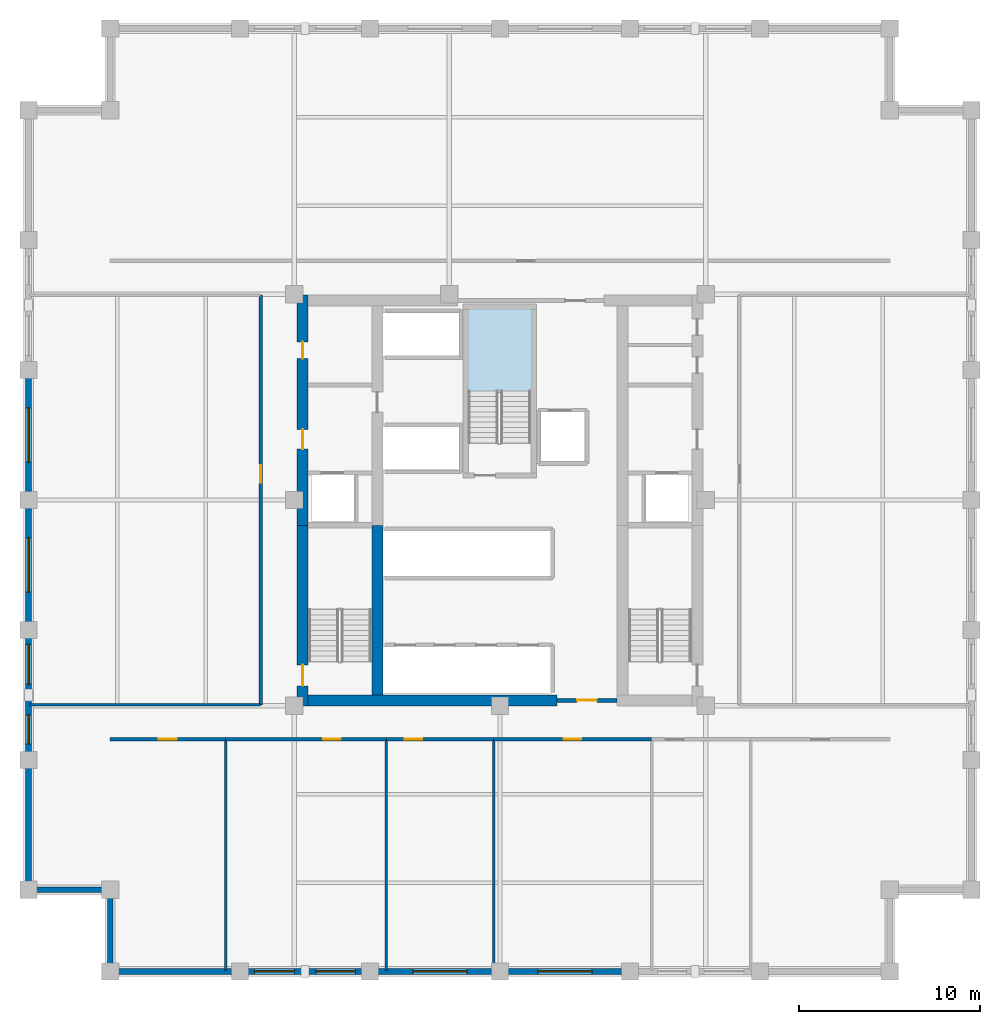
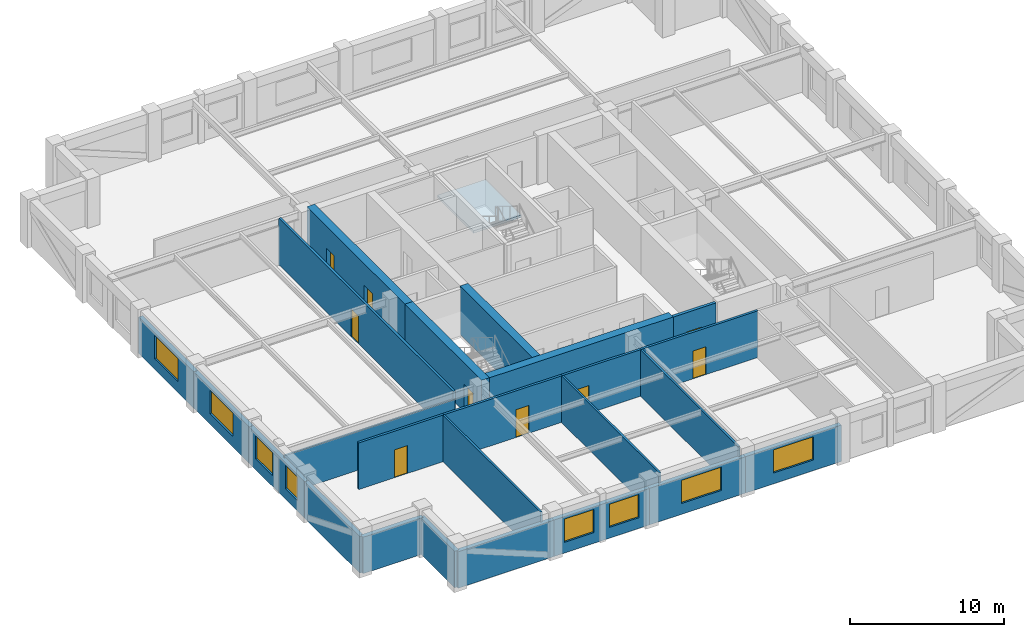
# One storey, part 2 of 6: 24 walls, 9 doors, 8 windows, 1 slab, 17 openings, 1 element without a shape of its own.
"""IFC4 building model written with IfcOpenShell, lengths in metres."""

from ifc_helpers import new_model, si_unit, direction, frame, frame_2d, origin, place, context, subcontext, project, spatial, polyline, rectangle, outline, extrude, material, layer, layer_set, type_object, element, fill, aggregate, save


model = new_model("IFC4")

# Units and contexts
model_context = context("Model", 3, precision=1e-05, world=origin(), true_north=direction((0.0, 1.0)))
body_context = subcontext(model_context, "Body", "Model", "MODEL_VIEW")
ifc_project = project(units=[si_unit("LENGTHUNIT", "METRE"), si_unit("AREAUNIT", "SQUARE_METRE"), si_unit("VOLUMEUNIT", "CUBIC_METRE"), si_unit("PLANEANGLEUNIT", "RADIAN"), si_unit("MASSUNIT", "GRAM", prefix="KILO")], contexts=[model_context])

# Site, building, storey
site_placement = place(None, origin())
site = spatial("IfcSite", under=ifc_project, at=site_placement, CompositionType="ELEMENT")
building_placement = place(site_placement, origin())
building = spatial("IfcBuilding", under=site, at=building_placement, Name="Nhamokura Convention Tower", CompositionType="ELEMENT")
storey_placement = place(building_placement, frame((0.0, 0.0, 160.64990234375)))
storey = spatial("IfcBuildingStorey", under=building, at=storey_placement, Name="L39", CompositionType="ELEMENT", Elevation=160.64990234375)

# Stair, slab
ifc_material_1 = material(Name="Concrete C40/50", Category="concrete")
stair_type = type_object("IfcStairType", Name="TowerCoreStair_1650", PredefinedType="HALF_TURN_STAIR", material=ifc_material_1)
stair_placement = place(storey_placement, origin())
stair = element("IfcStair", 1, at=stair_placement, inside=storey, type_object=stair_type, Name="L39 North Core Smokeproof Stair ST-03", PredefinedType="HALF_TURN_STAIR")
ifc_material_2 = material(Name="Concrete C40/50", Category="concrete")
ifc_layer_1 = layer(ifc_material_2, 0.199951171875)
ifc_layer_set_1 = layer_set([ifc_layer_1], Name="StairLandingSlab_200")
slab_type = type_object("IfcSlabType", Name="StairLandingSlab_200", PredefinedType="LANDING", material=ifc_layer_set_1)
slab_placement = place(storey_placement, frame((0.0, 0.0, 1.72509765625)))
slab = element("IfcSlab", 2, at=slab_placement, type_object=slab_type, Name="ST-03 landing 1", PredefinedType="LANDING", context=body_context, shape_type="SweptSolid", body=[
    extrude(outline(polyline([(33.780029296875, 37.919921875), (33.780029296875, 42.580078125), (30.169921875, 42.580078125), (30.169921875, 37.919921875), (33.780029296875, 37.919921875)])), origin(), (0.0, 0.0, 1.0), 0.199951171875),
])
aggregate(stair, [slab])

# Wall
ifc_material_3 = material(Name="Bronze-pigmented precast concrete C45/55", Category="concrete")
ifc_layer_2 = layer(ifc_material_3, 0.320068359375)
ifc_layer_set_2 = layer_set([ifc_layer_2], Name="BronzePrecastSpandrel_320")
wall_type_1 = type_object("IfcWallType", Name="BronzePrecastSpandrel_320", PredefinedType="USERDEFINED", material=ifc_layer_set_2)
wall_1_placement = place(storey_placement, frame((17.666748046875, 6.0, 0.0), z_axis=(0.0, 0.0, 1.0), x_axis=(-1.0, 0.0, 0.0)))
element("IfcWall", 3, at=wall_1_placement, inside=storey, type_object=wall_type_1, Name="L39 Braced-Bay Precast Wall SOUTH 0", ObjectType="SPANDREL_WALL", PredefinedType="USERDEFINED", context=body_context, shape_type="SweptSolid", body=[
    extrude(rectangle(XDim=7.166748046875, YDim=0.320068359375, at=frame_2d((3.58349609375, 0.0))), origin(), (0.0, 0.0, 1.0), 2.885009765625),
])

# Wall, openings, windows
wall_2_placement = place(storey_placement, frame((24.833251953125, 6.0, 0.0), z_axis=(0.0, 0.0, 1.0), x_axis=(-1.0, 0.0, 0.0)))
wall_2 = element("IfcWall", 4, at=wall_2_placement, inside=storey, type_object=wall_type_1, Name="L39 Masonry-Frame Wall SOUTH 1", ObjectType="SPANDREL_WALL", PredefinedType="USERDEFINED", context=body_context, shape_type="SweptSolid", body=[
    extrude(rectangle(XDim=7.16650390625, YDim=0.320068359375, at=frame_2d((3.583251953125, 0.0))), origin(), (0.0, 0.0, 1.0), 2.885009765625),
])
opening_1_placement = place(wall_2_placement, frame((0.791748046875, 0.0, 0.85009765625)))
opening_1 = element("IfcOpeningElement", 5, at=opening_1_placement, cuts=wall_2, Name="Opening W-06", PredefinedType="OPENING", context=body_context, shape_type="SweptSolid", body=[
    extrude(rectangle(XDim=2.199951171875, YDim=1.8349609375, at=frame_2d((1.10009765625, 0.91748046875))), frame((0.0, 0.169921875, 0.0), z_axis=(0.0, -1.0, 0.0), x_axis=(1.0, 0.0, 0.0)), (0.0, 0.0, 1.0), 0.340087890625),
])
opening_2_placement = place(wall_2_placement, frame((4.175048828125, 0.0, 0.85009765625)))
opening_2 = element("IfcOpeningElement", 6, at=opening_2_placement, cuts=wall_2, Name="Opening W-06", PredefinedType="OPENING", context=body_context, shape_type="SweptSolid", body=[
    extrude(rectangle(XDim=2.199951171875, YDim=1.8349609375, at=frame_2d((1.10009765625, 0.91748046875))), frame((0.0, 0.169921875, 0.0), z_axis=(0.0, -1.0, 0.0), x_axis=(1.0, 0.0, 0.0)), (0.0, 0.0, 1.0), 0.340087890625),
])
ifc_material_4 = material(Name="Solar-control bronze low-E double glass", Category="glass")
window_type_1 = type_object("IfcWindowType", Name="OfficeModuleWindow_Z2_2200", PartitioningType="SINGLE_PANEL", PredefinedType="WINDOW", material=ifc_material_4)
window_1_placement = place(opening_1_placement, origin())
window_1 = element("IfcWindow", 7, at=window_1_placement, inside=storey, type_object=window_type_1, Name="L39 Facade Window SOUTH 1-1", OverallHeight=1.8349609375, OverallWidth=2.199951171875, PartitioningType="SINGLE_PANEL", PredefinedType="WINDOW", context=body_context, shape_type="SweptSolid", body=[
    extrude(rectangle(XDim=2.199951171875, YDim=1.8349609375, at=frame_2d((1.10009765625, 0.91748046875))), frame((0.0, 0.030029296875, 0.0), z_axis=(0.0, -1.0, 0.0), x_axis=(1.0, 0.0, 0.0)), (0.0, 0.0, 1.0), 0.06005859375),
])
fill(opening_1, window_1)
window_2_placement = place(opening_2_placement, origin())
window_2 = element("IfcWindow", 8, at=window_2_placement, inside=storey, type_object=window_type_1, Name="L39 Facade Window SOUTH 1-2", OverallHeight=1.8349609375, OverallWidth=2.199951171875, PartitioningType="SINGLE_PANEL", PredefinedType="WINDOW", context=body_context, shape_type="SweptSolid", body=[
    extrude(rectangle(XDim=2.199951171875, YDim=1.8349609375, at=frame_2d((1.10009765625, 0.91748046875))), frame((0.0, 0.030029296875, 0.0), z_axis=(0.0, -1.0, 0.0), x_axis=(1.0, 0.0, 0.0)), (0.0, 0.0, 1.0), 0.06005859375),
])
fill(opening_2, window_2)

# Wall, opening, window
wall_3_placement = place(storey_placement, frame((32.0, 6.0, 0.0), z_axis=(0.0, 0.0, 1.0), x_axis=(-1.0, 0.0, 0.0)))
wall_3 = element("IfcWall", 9, at=wall_3_placement, inside=storey, type_object=wall_type_1, Name="L39 Masonry-Frame Wall SOUTH 2", ObjectType="SPANDREL_WALL", PredefinedType="USERDEFINED", context=body_context, shape_type="SweptSolid", body=[
    extrude(rectangle(XDim=7.166748046875, YDim=0.320068359375, at=frame_2d((3.58349609375, 0.0))), origin(), (0.0, 0.0, 1.0), 2.885009765625),
])
opening_3_placement = place(wall_3_placement, frame((1.808349609375, 0.0, 0.85009765625)))
opening_3 = element("IfcOpeningElement", 10, at=opening_3_placement, cuts=wall_3, Name="Opening W-05", PredefinedType="OPENING", context=body_context, shape_type="SweptSolid", body=[
    extrude(rectangle(XDim=3.0, YDim=1.8349609375, at=frame_2d((1.5, 0.91748046875))), frame((0.0, 0.169921875, 0.0), z_axis=(0.0, -1.0, 0.0), x_axis=(1.0, 0.0, 0.0)), (0.0, 0.0, 1.0), 0.340087890625),
])
ifc_material_5 = material(Name="Solar-control bronze low-E double glass", Category="glass")
window_type_2 = type_object("IfcWindowType", Name="OfficeModuleWindow_Z2_3000", PartitioningType="DOUBLE_PANEL_VERTICAL", PredefinedType="WINDOW", material=ifc_material_5)
window_3_placement = place(opening_3_placement, origin())
window_3 = element("IfcWindow", 11, at=window_3_placement, inside=storey, type_object=window_type_2, Name="L39 Facade Window SOUTH 2", OverallHeight=1.8349609375, OverallWidth=3.0, PartitioningType="SINGLE_PANEL", PredefinedType="WINDOW", context=body_context, shape_type="SweptSolid", body=[
    extrude(rectangle(XDim=3.0, YDim=1.8349609375, at=frame_2d((1.5, 0.91748046875))), frame((0.0, 0.030029296875, 0.0), z_axis=(0.0, -1.0, 0.0), x_axis=(1.0, 0.0, 0.0)), (0.0, 0.0, 1.0), 0.06005859375),
])
fill(opening_3, window_3)

wall_4_placement = place(storey_placement, frame((39.166748046875, 6.0, 0.0), z_axis=(0.0, 0.0, 1.0), x_axis=(-1.0, 0.0, 0.0)))
wall_4 = element("IfcWall", 12, at=wall_4_placement, inside=storey, type_object=wall_type_1, Name="L39 Masonry-Frame Wall SOUTH 3", ObjectType="SPANDREL_WALL", PredefinedType="USERDEFINED", context=body_context, shape_type="SweptSolid", body=[
    extrude(rectangle(XDim=7.166748046875, YDim=0.320068359375, at=frame_2d((3.58349609375, 0.0))), origin(), (0.0, 0.0, 1.0), 2.885009765625),
])
opening_4_placement = place(wall_4_placement, frame((2.083251953125, 0.0, 0.85009765625)))
opening_4 = element("IfcOpeningElement", 13, at=opening_4_placement, cuts=wall_4, Name="Opening W-05", PredefinedType="OPENING", context=body_context, shape_type="SweptSolid", body=[
    extrude(rectangle(XDim=3.0, YDim=1.8349609375, at=frame_2d((1.5, 0.91748046875))), frame((0.0, 0.169921875, 0.0), z_axis=(0.0, -1.0, 0.0), x_axis=(1.0, 0.0, 0.0)), (0.0, 0.0, 1.0), 0.340087890625),
])
window_4_placement = place(opening_4_placement, origin())
window_4 = element("IfcWindow", 14, at=window_4_placement, inside=storey, type_object=window_type_2, Name="L39 Facade Window SOUTH 3", OverallHeight=1.8349609375, OverallWidth=3.0, PartitioningType="SINGLE_PANEL", PredefinedType="WINDOW", context=body_context, shape_type="SweptSolid", body=[
    extrude(rectangle(XDim=3.0, YDim=1.8349609375, at=frame_2d((1.5, 0.91748046875))), frame((0.0, 0.030029296875, 0.0), z_axis=(0.0, -1.0, 0.0), x_axis=(1.0, 0.0, 0.0)), (0.0, 0.0, 1.0), 0.06005859375),
])
fill(opening_4, window_4)

# Wall
wall_5_placement = place(storey_placement, frame((6.0, 10.5, 0.0), z_axis=(0.0, 0.0, 1.0), x_axis=(0.0, 1.0, 0.0)))
element("IfcWall", 15, at=wall_5_placement, inside=storey, type_object=wall_type_1, Name="L39 Braced-Bay Precast Wall WEST 0", ObjectType="SPANDREL_WALL", PredefinedType="USERDEFINED", context=body_context, shape_type="SweptSolid", body=[
    extrude(rectangle(XDim=7.166748046875, YDim=0.320068359375, at=frame_2d((3.58349609375, 0.0))), origin(), (0.0, 0.0, 1.0), 2.885009765625),
])

# Wall, openings, windows
wall_6_placement = place(storey_placement, frame((6.0, 17.666748046875, 0.0), z_axis=(0.0, 0.0, 1.0), x_axis=(0.0, 1.0, 0.0)))
wall_6 = element("IfcWall", 16, at=wall_6_placement, inside=storey, type_object=wall_type_1, Name="L39 Masonry-Frame Wall WEST 1", ObjectType="SPANDREL_WALL", PredefinedType="USERDEFINED", context=body_context, shape_type="SweptSolid", body=[
    extrude(rectangle(XDim=7.16650390625, YDim=0.320068359375, at=frame_2d((3.583251953125, 0.0))), origin(), (0.0, 0.0, 1.0), 2.885009765625),
])
opening_5_placement = place(wall_6_placement, frame((0.879150390625, 0.0, 0.85009765625)))
opening_5 = element("IfcOpeningElement", 17, at=opening_5_placement, cuts=wall_6, Name="Opening W-11", PredefinedType="OPENING", context=body_context, shape_type="SweptSolid", body=[
    extrude(rectangle(XDim=1.60009765625, YDim=1.8349609375, at=frame_2d((0.800048828125, 0.91748046875))), frame((0.0, 0.169921875, 0.0), z_axis=(0.0, -1.0, 0.0), x_axis=(1.0, 0.0, 0.0)), (0.0, 0.0, 1.0), 0.340087890625),
])
opening_6_placement = place(wall_6_placement, frame((4.175048828125, 0.0, 0.85009765625)))
opening_6 = element("IfcOpeningElement", 18, at=opening_6_placement, cuts=wall_6, Name="Opening W-06", PredefinedType="OPENING", context=body_context, shape_type="SweptSolid", body=[
    extrude(rectangle(XDim=2.199951171875, YDim=1.8349609375, at=frame_2d((1.10009765625, 0.91748046875))), frame((0.0, 0.169921875, 0.0), z_axis=(0.0, -1.0, 0.0), x_axis=(1.0, 0.0, 0.0)), (0.0, 0.0, 1.0), 0.340087890625),
])
ifc_material_6 = material(Name="Solar-control bronze low-E double glass", Category="glass")
window_type_3 = type_object("IfcWindowType", Name="NotchCornerWindow_1600", PartitioningType="SINGLE_PANEL", PredefinedType="WINDOW", material=ifc_material_6)
window_5_placement = place(opening_5_placement, origin())
window_5 = element("IfcWindow", 19, at=window_5_placement, inside=storey, type_object=window_type_3, Name="L39 Facade Window WEST 1-1", OverallHeight=1.8349609375, OverallWidth=1.60009765625, PartitioningType="SINGLE_PANEL", PredefinedType="WINDOW", context=body_context, shape_type="SweptSolid", body=[
    extrude(rectangle(XDim=1.60009765625, YDim=1.8349609375, at=frame_2d((0.800048828125, 0.91748046875))), frame((0.0, 0.030029296875, 0.0), z_axis=(0.0, -1.0, 0.0), x_axis=(1.0, 0.0, 0.0)), (0.0, 0.0, 1.0), 0.06005859375),
])
fill(opening_5, window_5)
window_6_placement = place(opening_6_placement, origin())
window_6 = element("IfcWindow", 20, at=window_6_placement, inside=storey, type_object=window_type_1, Name="L39 Facade Window WEST 1-2", OverallHeight=1.8349609375, OverallWidth=2.199951171875, PartitioningType="SINGLE_PANEL", PredefinedType="WINDOW", context=body_context, shape_type="SweptSolid", body=[
    extrude(rectangle(XDim=2.199951171875, YDim=1.8349609375, at=frame_2d((1.10009765625, 0.91748046875))), frame((0.0, 0.030029296875, 0.0), z_axis=(0.0, -1.0, 0.0), x_axis=(1.0, 0.0, 0.0)), (0.0, 0.0, 1.0), 0.06005859375),
])
fill(opening_6, window_6)

# Wall, opening, window
wall_7_placement = place(storey_placement, frame((6.0, 24.833251953125, 0.0), z_axis=(0.0, 0.0, 1.0), x_axis=(0.0, 1.0, 0.0)))
wall_7 = element("IfcWall", 21, at=wall_7_placement, inside=storey, type_object=wall_type_1, Name="L39 Masonry-Frame Wall WEST 2", ObjectType="SPANDREL_WALL", PredefinedType="USERDEFINED", context=body_context, shape_type="SweptSolid", body=[
    extrude(rectangle(XDim=7.166748046875, YDim=0.320068359375, at=frame_2d((3.58349609375, 0.0))), origin(), (0.0, 0.0, 1.0), 2.885009765625),
])
opening_7_placement = place(wall_7_placement, frame((2.083251953125, 0.0, 0.85009765625)))
opening_7 = element("IfcOpeningElement", 22, at=opening_7_placement, cuts=wall_7, Name="Opening W-05", PredefinedType="OPENING", context=body_context, shape_type="SweptSolid", body=[
    extrude(rectangle(XDim=3.0, YDim=1.8349609375, at=frame_2d((1.5, 0.91748046875))), frame((0.0, 0.169921875, 0.0), z_axis=(0.0, -1.0, 0.0), x_axis=(1.0, 0.0, 0.0)), (0.0, 0.0, 1.0), 0.340087890625),
])
window_7_placement = place(opening_7_placement, origin())
window_7 = element("IfcWindow", 23, at=window_7_placement, inside=storey, type_object=window_type_2, Name="L39 Facade Window WEST 2", OverallHeight=1.8349609375, OverallWidth=3.0, PartitioningType="SINGLE_PANEL", PredefinedType="WINDOW", context=body_context, shape_type="SweptSolid", body=[
    extrude(rectangle(XDim=3.0, YDim=1.8349609375, at=frame_2d((1.5, 0.91748046875))), frame((0.0, 0.030029296875, 0.0), z_axis=(0.0, -1.0, 0.0), x_axis=(1.0, 0.0, 0.0)), (0.0, 0.0, 1.0), 0.06005859375),
])
fill(opening_7, window_7)

wall_8_placement = place(storey_placement, frame((6.0, 32.0, 0.0), z_axis=(0.0, 0.0, 1.0), x_axis=(0.0, 1.0, 0.0)))
wall_8 = element("IfcWall", 24, at=wall_8_placement, inside=storey, type_object=wall_type_1, Name="L39 Masonry-Frame Wall WEST 3", ObjectType="SPANDREL_WALL", PredefinedType="USERDEFINED", context=body_context, shape_type="SweptSolid", body=[
    extrude(rectangle(XDim=7.166748046875, YDim=0.320068359375, at=frame_2d((3.58349609375, 0.0))), origin(), (0.0, 0.0, 1.0), 2.885009765625),
])
opening_8_placement = place(wall_8_placement, frame((2.083251953125, 0.0, 0.85009765625)))
opening_8 = element("IfcOpeningElement", 25, at=opening_8_placement, cuts=wall_8, Name="Opening W-05", PredefinedType="OPENING", context=body_context, shape_type="SweptSolid", body=[
    extrude(rectangle(XDim=3.0, YDim=1.8349609375, at=frame_2d((1.5, 0.91748046875))), frame((0.0, 0.169921875, 0.0), z_axis=(0.0, -1.0, 0.0), x_axis=(1.0, 0.0, 0.0)), (0.0, 0.0, 1.0), 0.340087890625),
])
window_8_placement = place(opening_8_placement, origin())
window_8 = element("IfcWindow", 26, at=window_8_placement, inside=storey, type_object=window_type_2, Name="L39 Facade Window WEST 3", OverallHeight=1.8349609375, OverallWidth=3.0, PartitioningType="SINGLE_PANEL", PredefinedType="WINDOW", context=body_context, shape_type="SweptSolid", body=[
    extrude(rectangle(XDim=3.0, YDim=1.8349609375, at=frame_2d((1.5, 0.91748046875))), frame((0.0, 0.030029296875, 0.0), z_axis=(0.0, -1.0, 0.0), x_axis=(1.0, 0.0, 0.0)), (0.0, 0.0, 1.0), 0.06005859375),
])
fill(opening_8, window_8)

# Walls
for number, where, z_axis, x_axis, name in (
    (27, (10.5, 6.0, 0.0), (0.0, 0.0, 1.0), (0.0, 1.0, 0.0), "L39 Notched Corner Wall SW1"),
    (28, (10.5, 10.5, 0.0), (0.0, 0.0, 1.0), (-1.0, 0.0, 0.0), "L39 Notched Corner Wall SW2"),
):
    element("IfcWall", number, at=place(storey_placement, frame(where, z_axis=z_axis, x_axis=x_axis)), inside=storey, type_object=wall_type_1, Name=name, ObjectType="SPANDREL_WALL", PredefinedType="USERDEFINED", context=body_context, shape_type="SweptSolid", body=[
        extrude(rectangle(XDim=4.5, YDim=0.320068359375, at=frame_2d((2.25, 0.0))), origin(), (0.0, 0.0, 1.0), 2.885009765625),
    ])

# Wall, opening, door
ifc_material_7 = material(Name="Concrete C60/75", Category="concrete")
ifc_layer_3 = layer(ifc_material_7, 0.60009765625)
ifc_layer_set_3 = layer_set([ifc_layer_3], Name="CoreShearWall_600")
wall_type_2 = type_object("IfcWallType", Name="CoreShearWall_600", PredefinedType="SHEAR", material=ifc_layer_set_3)
wall_9_placement = place(storey_placement, frame((21.110107421875, 20.64990234375, 0.0), z_axis=(0.0, 0.0, 1.0), x_axis=(0.0, 1.0, 0.0)))
wall_9 = element("IfcWall", 29, at=wall_9_placement, inside=storey, type_object=wall_type_2, Name="L39 Core Shear Wall CW-WS", PredefinedType="SHEAR", context=body_context, shape_type="SweptSolid", body=[
    extrude(rectangle(XDim=9.9501953125, YDim=0.60009765625, at=frame_2d((4.97509765625, 0.0))), origin(), (0.0, 0.0, 1.0), 3.85009765625),
])
opening_9_placement = place(wall_9_placement, frame((1.10009765625, 0.0, 0.0)))
opening_9 = element("IfcOpeningElement", 30, at=opening_9_placement, cuts=wall_9, Name="Opening D-04", PredefinedType="OPENING", context=body_context, shape_type="SweptSolid", body=[
    extrude(rectangle(XDim=1.14990234375, YDim=2.14990234375, at=frame_2d((0.574951171875, 1.074951171875))), frame((0.0, 0.31005859375, 0.0), z_axis=(0.0, -1.0, 0.0), x_axis=(1.0, 0.0, 0.0)), (0.0, 0.0, 1.0), 0.6201171875),
])
ifc_material_8 = material(Name="Fire-rated steel door", Category="steel")
door_type_1 = type_object("IfcDoorType", Name="StairSmokeDoor_1150", OperationType="NOTDEFINED", PredefinedType="DOOR", material=ifc_material_8)
door_1_placement = place(opening_9_placement, origin())
door_1 = element("IfcDoor", 31, at=door_1_placement, inside=storey, type_object=door_type_1, Name="L39 Core Door INT-L39-D-ST01", OperationType="SINGLE_SWING_LEFT", OverallHeight=2.14990234375, OverallWidth=1.14990234375, PredefinedType="DOOR", context=body_context, shape_type="SweptSolid", body=[
    extrude(rectangle(XDim=1.14990234375, YDim=2.14990234375, at=frame_2d((0.574951171875, 1.074951171875))), frame((0.0, 0.02490234375, 0.0), z_axis=(0.0, -1.0, 0.0), x_axis=(1.0, 0.0, 0.0)), (0.0, 0.0, 1.0), 0.050048828125),
])
fill(opening_9, door_1)

# Wall, openings, doors
wall_10_placement = place(storey_placement, frame((21.110107421875, 30.60009765625, 0.0), z_axis=(0.0, 0.0, 1.0), x_axis=(0.0, 1.0, 0.0)))
wall_10 = element("IfcWall", 32, at=wall_10_placement, inside=storey, type_object=wall_type_2, Name="L39 Core Shear Wall CW-WN", PredefinedType="SHEAR", context=body_context, shape_type="SweptSolid", body=[
    extrude(rectangle(XDim=12.699951171875, YDim=0.60009765625, at=frame_2d((6.35009765625, 0.0))), origin(), (0.0, 0.0, 1.0), 3.85009765625),
])
opening_10_placement = place(wall_10_placement, frame((4.199951171875, 0.0, 0.0)))
opening_10 = element("IfcOpeningElement", 33, at=opening_10_placement, cuts=wall_10, Name="Opening D-05", PredefinedType="OPENING", context=body_context, shape_type="SweptSolid", body=[
    extrude(rectangle(XDim=1.10009765625, YDim=2.14990234375, at=frame_2d((0.550048828125, 1.074951171875))), frame((0.0, 0.31005859375, 0.0), z_axis=(0.0, -1.0, 0.0), x_axis=(1.0, 0.0, 0.0)), (0.0, 0.0, 1.0), 0.6201171875),
])
opening_11_placement = place(wall_10_placement, frame((9.199951171875, 0.0, 0.0)))
opening_11 = element("IfcOpeningElement", 34, at=opening_11_placement, cuts=wall_10, Name="Opening D-10", PredefinedType="OPENING", context=body_context, shape_type="SweptSolid", body=[
    extrude(rectangle(XDim=0.919921875, YDim=2.10009765625, at=frame_2d((0.4599609375, 1.050048828125))), frame((0.0, 0.31005859375, 0.0), z_axis=(0.0, -1.0, 0.0), x_axis=(1.0, 0.0, 0.0)), (0.0, 0.0, 1.0), 0.6201171875),
])
ifc_material_9 = material(Name="Solid oak hardwood", Category="wood")
door_type_2 = type_object("IfcDoorType", Name="AccessibleWCDoor_920", OperationType="NOTDEFINED", PredefinedType="DOOR", material=ifc_material_9)
door_2_placement = place(opening_11_placement, origin())
door_2 = element("IfcDoor", 35, at=door_2_placement, inside=storey, type_object=door_type_2, Name="L39 Core Door INT-L39-D-AWC", OperationType="SINGLE_SWING_LEFT", OverallHeight=2.10009765625, OverallWidth=0.919921875, PredefinedType="DOOR", context=body_context, shape_type="SweptSolid", body=[
    extrude(rectangle(XDim=0.919921875, YDim=2.10009765625, at=frame_2d((0.4599609375, 1.050048828125))), frame((0.0, 0.02490234375, 0.0), z_axis=(0.0, -1.0, 0.0), x_axis=(1.0, 0.0, 0.0)), (0.0, 0.0, 1.0), 0.050048828125),
])
fill(opening_11, door_2)
ifc_material_10 = material(Name="Fire-rated steel door", Category="steel")
door_type_3 = type_object("IfcDoorType", Name="FireLobbyDoor_1100", OperationType="NOTDEFINED", PredefinedType="DOOR", material=ifc_material_10)
door_3_placement = place(opening_10_placement, origin())
door_3 = element("IfcDoor", 36, at=door_3_placement, inside=storey, type_object=door_type_3, Name="L39 Core Door INT-L39-D-FFLW", OperationType="SINGLE_SWING_RIGHT", OverallHeight=2.14990234375, OverallWidth=1.10009765625, PredefinedType="DOOR", context=body_context, shape_type="SweptSolid", body=[
    extrude(rectangle(XDim=1.10009765625, YDim=2.14990234375, at=frame_2d((0.550048828125, 1.074951171875))), frame((0.0, 0.02490234375, 0.0), z_axis=(0.0, -1.0, 0.0), x_axis=(1.0, 0.0, 0.0)), (0.0, 0.0, 1.0), 0.050048828125),
])
fill(opening_10, door_3)

# Walls
wall_11_placement = place(storey_placement, frame((21.409912109375, 20.949951171875, 0.0), z_axis=(0.0, 0.0, 1.0), x_axis=(1.0, 0.0, 0.0)))
element("IfcWall", 37, at=wall_11_placement, inside=storey, type_object=wall_type_2, Name="L39 Core Shear Wall CW-S1", PredefinedType="SHEAR", context=body_context, shape_type="SweptSolid", body=[
    extrude(rectangle(XDim=13.739990234375, YDim=0.60009765625, at=frame_2d((6.8701171875, 0.0))), origin(), (0.0, 0.0, 1.0), 3.85009765625),
])
wall_12_placement = place(storey_placement, frame((25.239990234375, 21.25, 0.0), z_axis=(0.0, 0.0, 1.0), x_axis=(0.0, 1.0, 0.0)))
element("IfcWall", 38, at=wall_12_placement, inside=storey, type_object=wall_type_2, Name="L39 Core Shear Wall CW-IWS", PredefinedType="SHEAR", context=body_context, shape_type="SweptSolid", body=[
    extrude(rectangle(XDim=9.35009765625, YDim=0.60009765625, at=frame_2d((4.675048828125, 0.0))), origin(), (0.0, 0.0, 1.0), 3.85009765625),
])

# Wall, opening, door
ifc_material_11 = material(Name="Fire-rated gypsum and masonry partition", Category="masonry")
ifc_layer_4 = layer(ifc_material_11, 0.179931640625)
ifc_layer_set_4 = layer_set([ifc_layer_4], Name="CorridorRatedWall_180")
wall_type_3 = type_object("IfcWallType", Name="CorridorRatedWall_180", PredefinedType="STANDARD", material=ifc_layer_set_4)
wall_13_placement = place(storey_placement, frame((10.5, 18.800048828125, 0.0), z_axis=(0.0, 0.0, 1.0), x_axis=(1.0, 0.0, 0.0)))
wall_13 = element("IfcWall", 39, at=wall_13_placement, inside=storey, type_object=wall_type_3, Name="L39 Wall INT-L39-CW-S00", PredefinedType="STANDARD", context=body_context, shape_type="SweptSolid", body=[
    extrude(rectangle(XDim=6.36669921875, YDim=0.179931640625, at=frame_2d((3.183349609375, 0.0))), origin(), (0.0, 0.0, 1.0), 3.68505859375),
])
opening_12_placement = place(wall_13_placement, frame((2.683349609375, 0.0, 0.0)))
opening_12 = element("IfcOpeningElement", 40, at=opening_12_placement, cuts=wall_13, Name="Opening D-08", PredefinedType="OPENING", context=body_context, shape_type="SweptSolid", body=[
    extrude(rectangle(XDim=0.97998046875, YDim=2.199951171875, at=frame_2d((0.489990234375, 1.10009765625))), frame((0.0, 0.099853515625, 0.0), z_axis=(0.0, -1.0, 0.0), x_axis=(1.0, 0.0, 0.0)), (0.0, 0.0, 1.0), 0.199951171875),
])
ifc_material_12 = material(Name="Solid oak hardwood", Category="wood")
door_type_4 = type_object("IfcDoorType", Name="OfficeEntryDoor_980", OperationType="NOTDEFINED", PredefinedType="DOOR", material=ifc_material_12)
door_4_placement = place(opening_12_placement, origin())
door_4 = element("IfcDoor", 41, at=door_4_placement, inside=storey, type_object=door_type_4, Name="L39 Broadcast Studio S01 Door", OperationType="SINGLE_SWING_LEFT", OverallHeight=2.199951171875, OverallWidth=0.97998046875, PredefinedType="DOOR", context=body_context, shape_type="SweptSolid", body=[
    extrude(rectangle(XDim=0.97998046875, YDim=2.199951171875, at=frame_2d((0.489990234375, 1.10009765625))), frame((0.0, 0.02490234375, 0.0), z_axis=(0.0, -1.0, 0.0), x_axis=(1.0, 0.0, 0.0)), (0.0, 0.0, 1.0), 0.050048828125),
])
fill(opening_12, door_4)

wall_14_placement = place(storey_placement, frame((16.86669921875, 18.800048828125, 0.0), z_axis=(0.0, 0.0, 1.0), x_axis=(1.0, 0.0, 0.0)))
wall_14 = element("IfcWall", 42, at=wall_14_placement, inside=storey, type_object=wall_type_3, Name="L39 Wall INT-L39-CW-S01", PredefinedType="STANDARD", context=body_context, shape_type="SweptSolid", body=[
    extrude(rectangle(XDim=8.86669921875, YDim=0.179931640625, at=frame_2d((4.433349609375, 0.0))), origin(), (0.0, 0.0, 1.0), 3.68505859375),
])
opening_13_placement = place(wall_14_placement, frame((5.38330078125, 0.0, 0.0)))
opening_13 = element("IfcOpeningElement", 43, at=opening_13_placement, cuts=wall_14, Name="Opening D-08", PredefinedType="OPENING", context=body_context, shape_type="SweptSolid", body=[
    extrude(rectangle(XDim=0.97998046875, YDim=2.199951171875, at=frame_2d((0.489990234375, 1.10009765625))), frame((0.0, 0.099853515625, 0.0), z_axis=(0.0, -1.0, 0.0), x_axis=(1.0, 0.0, 0.0)), (0.0, 0.0, 1.0), 0.199951171875),
])
door_5_placement = place(opening_13_placement, origin())
door_5 = element("IfcDoor", 44, at=door_5_placement, inside=storey, type_object=door_type_4, Name="L39 Newsroom Office S02 Door", OperationType="SINGLE_SWING_RIGHT", OverallHeight=2.199951171875, OverallWidth=0.97998046875, PredefinedType="DOOR", context=body_context, shape_type="SweptSolid", body=[
    extrude(rectangle(XDim=0.97998046875, YDim=2.199951171875, at=frame_2d((0.489990234375, 1.10009765625))), frame((0.0, 0.02490234375, 0.0), z_axis=(0.0, -1.0, 0.0), x_axis=(1.0, 0.0, 0.0)), (0.0, 0.0, 1.0), 0.050048828125),
])
fill(opening_13, door_5)

wall_15_placement = place(storey_placement, frame((25.7333984375, 18.800048828125, 0.0), z_axis=(0.0, 0.0, 1.0), x_axis=(1.0, 0.0, 0.0)))
wall_15 = element("IfcWall", 45, at=wall_15_placement, inside=storey, type_object=wall_type_3, Name="L39 Wall INT-L39-CW-S02", PredefinedType="STANDARD", context=body_context, shape_type="SweptSolid", body=[
    extrude(rectangle(XDim=5.91650390625, YDim=0.179931640625, at=frame_2d((2.958251953125, 0.0))), origin(), (0.0, 0.0, 1.0), 3.68505859375),
])
opening_14_placement = place(wall_15_placement, frame((1.00830078125, 0.0, 0.0)))
opening_14 = element("IfcOpeningElement", 46, at=opening_14_placement, cuts=wall_15, Name="Opening D-08", PredefinedType="OPENING", context=body_context, shape_type="SweptSolid", body=[
    extrude(rectangle(XDim=0.97998046875, YDim=2.199951171875, at=frame_2d((0.489990234375, 1.10009765625))), frame((0.0, 0.099853515625, 0.0), z_axis=(0.0, -1.0, 0.0), x_axis=(1.0, 0.0, 0.0)), (0.0, 0.0, 1.0), 0.199951171875),
])
door_6_placement = place(opening_14_placement, origin())
door_6 = element("IfcDoor", 47, at=door_6_placement, inside=storey, type_object=door_type_4, Name="L39 Green Room Lounge S03 Door", OperationType="SINGLE_SWING_LEFT", OverallHeight=2.199951171875, OverallWidth=0.97998046875, PredefinedType="DOOR", context=body_context, shape_type="SweptSolid", body=[
    extrude(rectangle(XDim=0.97998046875, YDim=2.199951171875, at=frame_2d((0.489990234375, 1.10009765625))), frame((0.0, 0.02490234375, 0.0), z_axis=(0.0, -1.0, 0.0), x_axis=(1.0, 0.0, 0.0)), (0.0, 0.0, 1.0), 0.050048828125),
])
fill(opening_14, door_6)

wall_16_placement = place(storey_placement, frame((31.64990234375, 18.800048828125, 0.0), z_axis=(0.0, 0.0, 1.0), x_axis=(1.0, 0.0, 0.0)))
wall_16 = element("IfcWall", 48, at=wall_16_placement, inside=storey, type_object=wall_type_3, Name="L39 Wall INT-L39-CW-S03", PredefinedType="STANDARD", context=body_context, shape_type="SweptSolid", body=[
    extrude(rectangle(XDim=8.716796875, YDim=0.179931640625, at=frame_2d((4.3583984375, 0.0))), origin(), (0.0, 0.0, 1.0), 3.68505859375),
])
opening_15_placement = place(wall_16_placement, frame((3.8583984375, 0.0, 0.0)))
opening_15 = element("IfcOpeningElement", 49, at=opening_15_placement, cuts=wall_16, Name="Opening D-08", PredefinedType="OPENING", context=body_context, shape_type="SweptSolid", body=[
    extrude(rectangle(XDim=0.97998046875, YDim=2.199951171875, at=frame_2d((0.489990234375, 1.10009765625))), frame((0.0, 0.099853515625, 0.0), z_axis=(0.0, -1.0, 0.0), x_axis=(1.0, 0.0, 0.0)), (0.0, 0.0, 1.0), 0.199951171875),
])
door_7_placement = place(opening_15_placement, origin())
door_7 = element("IfcDoor", 50, at=door_7_placement, inside=storey, type_object=door_type_4, Name="L39 Broadcast Studio S04 Door", OperationType="SINGLE_SWING_RIGHT", OverallHeight=2.199951171875, OverallWidth=0.97998046875, PredefinedType="DOOR", context=body_context, shape_type="SweptSolid", body=[
    extrude(rectangle(XDim=0.97998046875, YDim=2.199951171875, at=frame_2d((0.489990234375, 1.10009765625))), frame((0.0, 0.02490234375, 0.0), z_axis=(0.0, -1.0, 0.0), x_axis=(1.0, 0.0, 0.0)), (0.0, 0.0, 1.0), 0.050048828125),
])
fill(opening_15, door_7)

wall_17_placement = place(storey_placement, frame((18.800048828125, 20.699951171875, 0.0), z_axis=(0.0, 0.0, 1.0), x_axis=(0.0, 1.0, 0.0)))
wall_17 = element("IfcWall", 51, at=wall_17_placement, inside=storey, type_object=wall_type_3, Name="L39 Wall INT-L39-CW-W00", PredefinedType="STANDARD", context=body_context, shape_type="SweptSolid", body=[
    extrude(rectangle(XDim=22.60009765625, YDim=0.179931640625, at=frame_2d((11.300048828125, 0.0))), origin(), (0.0, 0.0, 1.0), 3.68505859375),
])
opening_16_placement = place(wall_17_placement, frame((12.25, 0.0, 0.0)))
opening_16 = element("IfcOpeningElement", 52, at=opening_16_placement, cuts=wall_17, Name="Opening D-08", PredefinedType="OPENING", context=body_context, shape_type="SweptSolid", body=[
    extrude(rectangle(XDim=0.97998046875, YDim=2.199951171875, at=frame_2d((0.489990234375, 1.10009765625))), frame((0.0, 0.099853515625, 0.0), z_axis=(0.0, -1.0, 0.0), x_axis=(1.0, 0.0, 0.0)), (0.0, 0.0, 1.0), 0.199951171875),
])
door_8_placement = place(opening_16_placement, origin())
door_8 = element("IfcDoor", 53, at=door_8_placement, inside=storey, type_object=door_type_4, Name="L39 Private Office W01 Door", OperationType="SINGLE_SWING_LEFT", OverallHeight=2.199951171875, OverallWidth=0.97998046875, PredefinedType="DOOR", context=body_context, shape_type="SweptSolid", body=[
    extrude(rectangle(XDim=0.97998046875, YDim=2.199951171875, at=frame_2d((0.489990234375, 1.10009765625))), frame((0.0, 0.02490234375, 0.0), z_axis=(0.0, -1.0, 0.0), x_axis=(1.0, 0.0, 0.0)), (0.0, 0.0, 1.0), 0.050048828125),
])
fill(opening_16, door_8)

ifc_material_13 = material(Name="Autoclaved concrete blockwork", Category="masonry")
ifc_layer_5 = layer(ifc_material_13, 0.219970703125)
ifc_layer_set_5 = layer_set([ifc_layer_5], Name="FireLobbyWall_220")
wall_type_4 = type_object("IfcWallType", Name="FireLobbyWall_220", PredefinedType="STANDARD", material=ifc_layer_set_5)
wall_18_placement = place(storey_placement, frame((35.14990234375, 20.949951171875, 0.0), z_axis=(0.0, 0.0, 1.0), x_axis=(1.0, 0.0, 0.0)))
wall_18 = element("IfcWall", 54, at=wall_18_placement, inside=storey, type_object=wall_type_4, Name="L39 Wall INT-L39-SPORT-S", PredefinedType="STANDARD", context=body_context, shape_type="SweptSolid", body=[
    extrude(rectangle(XDim=3.300048828125, YDim=0.219970703125, at=frame_2d((1.64990234375, 0.0))), origin(), (0.0, 0.0, 1.0), 3.68505859375),
])
opening_17_placement = place(wall_18_placement, frame((1.10009765625, 0.0, 0.0)))
opening_17 = element("IfcOpeningElement", 55, at=opening_17_placement, cuts=wall_18, Name="Opening D-05", PredefinedType="OPENING", context=body_context, shape_type="SweptSolid", body=[
    extrude(rectangle(XDim=1.10009765625, YDim=2.14990234375, at=frame_2d((0.550048828125, 1.074951171875))), frame((0.0, 0.119873046875, 0.0), z_axis=(0.0, -1.0, 0.0), x_axis=(1.0, 0.0, 0.0)), (0.0, 0.0, 1.0), 0.239990234375),
])
door_9_placement = place(opening_17_placement, origin())
door_9 = element("IfcDoor", 56, at=door_9_placement, inside=storey, type_object=door_type_3, Name="L39 South Core Lobby Portal Door", OperationType="SINGLE_SWING_LEFT", OverallHeight=2.14990234375, OverallWidth=1.10009765625, PredefinedType="DOOR", context=body_context, shape_type="SweptSolid", body=[
    extrude(rectangle(XDim=1.10009765625, YDim=2.14990234375, at=frame_2d((0.550048828125, 1.074951171875))), frame((0.0, 0.02490234375, 0.0), z_axis=(0.0, -1.0, 0.0), x_axis=(1.0, 0.0, 0.0)), (0.0, 0.0, 1.0), 0.050048828125),
])
fill(opening_17, door_9)

# Walls
ifc_material_14 = material(Name="Acoustic gypsum stud partition", Category="masonry")
ifc_layer_6 = layer(ifc_material_14, 0.14990234375)
ifc_layer_set_6 = layer_set([ifc_layer_6], Name="InteriorPartition_150")
wall_type_5 = type_object("IfcWallType", Name="InteriorPartition_150", PredefinedType="STANDARD", material=ifc_layer_set_6)
for number, where, z_axis, x_axis, name in (
    (57, (16.86669921875, 6.06005859375, 0.0), (0.0, 0.0, 1.0), (0.0, 1.0, 0.0), "L39 Wall INT-L39-RW-S01"),
    (58, (25.7333984375, 6.06005859375, 0.0), (0.0, 0.0, 1.0), (0.0, 1.0, 0.0), "L39 Wall INT-L39-RW-S02"),
    (59, (31.64990234375, 6.06005859375, 0.0), (0.0, 0.0, 1.0), (0.0, 1.0, 0.0), "L39 Wall INT-L39-RW-S03"),
):
    element("IfcWall", number, at=place(storey_placement, frame(where, z_axis=z_axis, x_axis=x_axis)), inside=storey, type_object=wall_type_5, Name=name, PredefinedType="STANDARD", context=body_context, shape_type="SweptSolid", body=[
        extrude(rectangle(XDim=12.739990234375, YDim=0.14990234375, at=frame_2d((6.3701171875, 0.0))), origin(), (0.0, 0.0, 1.0), 3.68505859375),
    ])
wall_19_placement = place(storey_placement, frame((6.06005859375, 20.699951171875, 0.0), z_axis=(0.0, 0.0, 1.0), x_axis=(1.0, 0.0, 0.0)))
element("IfcWall", 60, at=wall_19_placement, inside=storey, type_object=wall_type_5, Name="L39 Wall INT-L39-RWB-W", PredefinedType="STANDARD", context=body_context, shape_type="SweptSolid", body=[
    extrude(rectangle(XDim=12.739990234375, YDim=0.14990234375, at=frame_2d((6.3701171875, 0.0))), origin(), (0.0, 0.0, 1.0), 3.065185546875),
])

save(model, "model.ifc")
